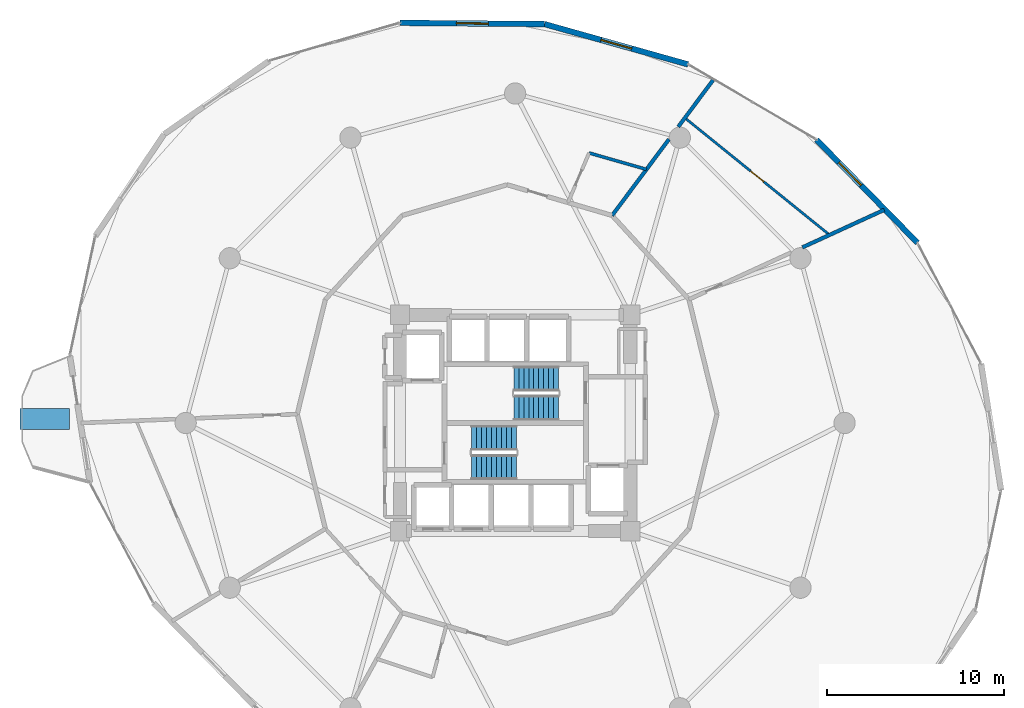
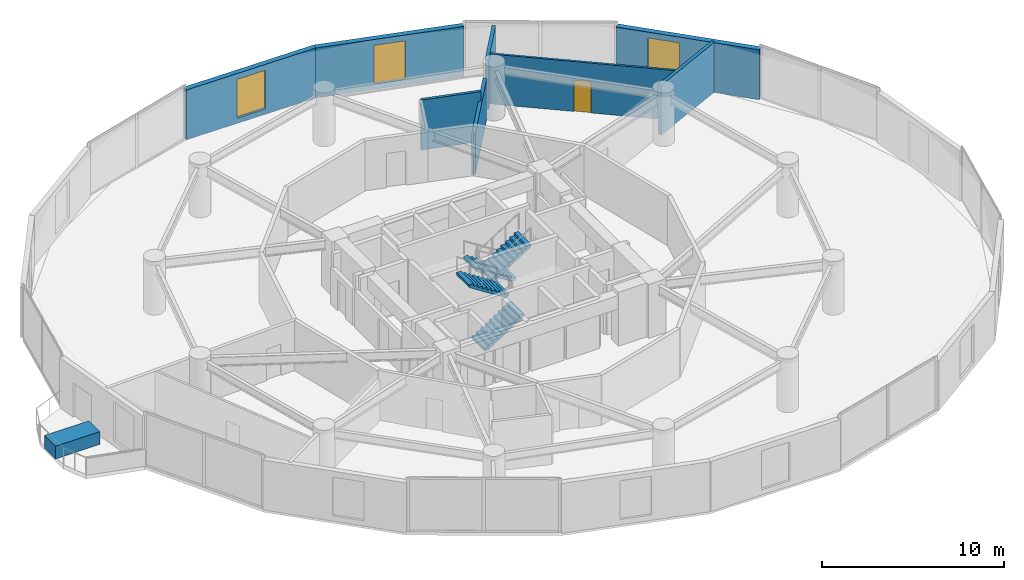
# One storey, part 22 of 24: 8 walls, 4 stair flights, 3 windows, 1 discrete accessory, 1 door, 4 openings, 2 elements without a shape of their own.
"""IFC4 building model written with IfcOpenShell, lengths in metres."""

from ifc_helpers import new_model, si_unit, direction, frame, frame_2d, origin, origin_2d, place, context, subcontext, project, spatial, polyline, rectangle, outline, extrude, material, layer, layer_set, type_object, element, fill, aggregate, save


model = new_model("IFC4")

# Units and contexts
model_context = context("Model", 3, precision=1e-05, world=origin(), true_north=direction((0.0, 1.0)))
body_context = subcontext(model_context, "Body", "Model", "MODEL_VIEW")
ifc_project = project(units=[si_unit("LENGTHUNIT", "METRE"), si_unit("AREAUNIT", "SQUARE_METRE"), si_unit("VOLUMEUNIT", "CUBIC_METRE"), si_unit("PLANEANGLEUNIT", "RADIAN"), si_unit("MASSUNIT", "GRAM", prefix="KILO")], contexts=[model_context])

# Site, building, storey
site_placement = place(None, origin())
site = spatial("IfcSite", under=ifc_project, at=site_placement, CompositionType="ELEMENT")
building_placement = place(site_placement, origin())
building = spatial("IfcBuilding", under=site, at=building_placement, Name="Solvirekh Grand Hotel", CompositionType="ELEMENT")
storey_placement = place(building_placement, frame((0.0, 0.0, 82.39990234375)))
storey = spatial("IfcBuildingStorey", under=building, at=storey_placement, Name="L20", CompositionType="ELEMENT", Elevation=82.39990234375)

# Wall, opening, window
ifc_material_1 = material(Name="Precast concrete C45/55", Category="concrete")
ifc_layer_1 = layer(ifc_material_1, 0.320068359375)
ifc_layer_set_1 = layer_set([ifc_layer_1], Name="Precast concrete C45/55")
wall_type_1 = type_object("IfcWallType", Name="ExtLobbyWall_RC320", PredefinedType="SOLIDWALL", material=ifc_layer_set_1)
wall_1_placement = place(storey_placement, frame((17.01708984375, 15.989013671875, 0.0), z_axis=(0.0, 0.0, 1.0), x_axis=(0.699759555634, -0.714378446132, 0.0)))
wall_1 = element("IfcWall", 1, at=wall_1_placement, inside=storey, type_object=wall_type_1, Name="L20 exterior structural wall chord 4", PredefinedType="SOLIDWALL", context=body_context, shape_type="SweptSolid", body=[
    extrude(rectangle(XDim=8.149658203125, YDim=0.320068359375, at=frame_2d((4.07470703125, 0.0))), origin(), (0.0, 0.0, 1.0), 3.340087890625),
])
opening_1_placement = place(wall_1_placement, frame((1.801025390625, 0.0, 0.35009765625)))
opening_1 = element("IfcOpeningElement", 2, at=opening_1_placement, cuts=wall_1, Name="Opening W02", PredefinedType="OPENING", context=body_context, shape_type="SweptSolid", body=[
    extrude(rectangle(XDim=1.800048828125, YDim=2.60009765625, at=frame_2d((0.89990234375, 1.300048828125))), frame((0.0, 0.169921875, 0.0), z_axis=(0.0, -1.0, 0.0), x_axis=(1.0, 0.0, 0.0)), (0.0, 0.0, 1.0), 0.340087890625),
])
ifc_material_2 = material(Name="Low-E Tinted Bronze Laminated Glass", Category="aluminium")
window_type = type_object("IfcWindowType", Name="Win_LobbyExt_1800X2600", PartitioningType="SINGLE_PANEL", PredefinedType="WINDOW", material=ifc_material_2)
window_1_placement = place(opening_1_placement, origin())
window_1 = element("IfcWindow", 3, at=window_1_placement, inside=storey, type_object=window_type, Name="L20 panoramic bronze-framed window 4", OverallHeight=2.60009765625, OverallWidth=1.800048828125, PartitioningType="SINGLE_PANEL", PredefinedType="WINDOW", context=body_context, shape_type="SweptSolid", body=[
    extrude(rectangle(XDim=1.800048828125, YDim=2.60009765625, at=frame_2d((0.89990234375, 1.300048828125))), frame((0.0, 0.030029296875, 0.0), z_axis=(0.0, -1.0, 0.0), x_axis=(1.0, 0.0, 0.0)), (0.0, 0.0, 1.0), 0.06005859375),
])
fill(opening_1, window_1)

wall_2_placement = place(storey_placement, frame((1.660888671875, 22.52001953125, 0.0), z_axis=(0.0, 0.0, 1.0), x_axis=(0.962743068747, -0.270417794495, 0.0)))
wall_2 = element("IfcWall", 4, at=wall_2_placement, inside=storey, type_object=wall_type_1, Name="L20 exterior structural wall chord 6", PredefinedType="SOLIDWALL", context=body_context, shape_type="SweptSolid", body=[
    extrude(rectangle(XDim=8.41259765625, YDim=0.320068359375, at=frame_2d((4.206298828125, 0.0))), origin(), (0.0, 0.0, 1.0), 3.340087890625),
])
opening_2_placement = place(wall_2_placement, frame((3.305908203125, 0.0, 0.35009765625)))
opening_2 = element("IfcOpeningElement", 5, at=opening_2_placement, cuts=wall_2, Name="Opening W02", PredefinedType="OPENING", context=body_context, shape_type="SweptSolid", body=[
    extrude(rectangle(XDim=1.800048828125, YDim=2.60009765625, at=frame_2d((0.89990234375, 1.300048828125))), frame((0.0, 0.169921875, 0.0), z_axis=(0.0, -1.0, 0.0), x_axis=(1.0, 0.0, 0.0)), (0.0, 0.0, 1.0), 0.340087890625),
])
window_2_placement = place(opening_2_placement, origin())
window_2 = element("IfcWindow", 6, at=window_2_placement, inside=storey, type_object=window_type, Name="L20 panoramic bronze-framed window 6", OverallHeight=2.60009765625, OverallWidth=1.800048828125, PartitioningType="SINGLE_PANEL", PredefinedType="WINDOW", context=body_context, shape_type="SweptSolid", body=[
    extrude(rectangle(XDim=1.800048828125, YDim=2.60009765625, at=frame_2d((0.89990234375, 1.300048828125))), frame((0.0, 0.030029296875, 0.0), z_axis=(0.0, -1.0, 0.0), x_axis=(1.0, 0.0, 0.0)), (0.0, 0.0, 1.0), 0.06005859375),
])
fill(opening_2, window_2)

wall_3_placement = place(storey_placement, frame((-6.488037109375, 22.590087890625, 0.0), z_axis=(0.0, 0.0, 1.0), x_axis=(0.999963035137, -0.008598160198, 0.0)))
wall_3 = element("IfcWall", 7, at=wall_3_placement, inside=storey, type_object=wall_type_1, Name="L20 exterior structural wall chord 7", PredefinedType="SOLIDWALL", context=body_context, shape_type="SweptSolid", body=[
    extrude(rectangle(XDim=8.149169921875, YDim=0.320068359375, at=frame_2d((4.07470703125, 0.0))), origin(), (0.0, 0.0, 1.0), 3.340087890625),
])
opening_3_placement = place(wall_3_placement, frame((3.175048828125, 0.0, 0.35009765625)))
opening_3 = element("IfcOpeningElement", 8, at=opening_3_placement, cuts=wall_3, Name="Opening W02", PredefinedType="OPENING", context=body_context, shape_type="SweptSolid", body=[
    extrude(rectangle(XDim=1.800048828125, YDim=2.60009765625, at=frame_2d((0.89990234375, 1.300048828125))), frame((0.0, 0.169921875, 0.0), z_axis=(0.0, -1.0, 0.0), x_axis=(1.0, 0.0, 0.0)), (0.0, 0.0, 1.0), 0.340087890625),
])
window_3_placement = place(opening_3_placement, origin())
window_3 = element("IfcWindow", 9, at=window_3_placement, inside=storey, type_object=window_type, Name="L20 panoramic bronze-framed window 7", OverallHeight=2.60009765625, OverallWidth=1.800048828125, PartitioningType="SINGLE_PANEL", PredefinedType="WINDOW", context=body_context, shape_type="SweptSolid", body=[
    extrude(rectangle(XDim=1.800048828125, YDim=2.60009765625, at=frame_2d((0.89990234375, 1.300048828125))), frame((0.0, 0.030029296875, 0.0), z_axis=(0.0, -1.0, 0.0), x_axis=(1.0, 0.0, 0.0)), (0.0, 0.0, 1.0), 0.06005859375),
])
fill(opening_3, window_3)

# Wall, opening, door
ifc_material_3 = material(Name="Acoustic Gypsum Partition Assembly")
ifc_layer_2 = layer(ifc_material_3, 0.135009765625)
ifc_layer_set_2 = layer_set([ifc_layer_2], Name="Acoustic Gypsum Partition Assembly")
wall_type_2 = type_object("IfcWallType", Name="Part_RoomInt_135", PredefinedType="PARTITIONING", material=ifc_layer_set_2)
wall_4_placement = place(storey_placement, frame((17.7509765625, 10.615966796875, 0.0), z_axis=(0.0, 0.0, 1.0), x_axis=(-0.77748834584, 0.62889734622, 0.0)))
wall_4 = element("IfcWall", 10, at=wall_4_placement, inside=storey, type_object=wall_type_2, Name="L20 Presidential Suite 2201 Suite Foyer bedroom screen wall", PredefinedType="PARTITIONING", context=body_context, shape_type="SweptSolid", body=[
    extrude(rectangle(XDim=10.505615234375, YDim=0.135009765625, at=frame_2d((5.2529296875, 0.0))), origin(), (0.0, 0.0, 1.0), 3.340087890625),
])
opening_4_placement = place(wall_4_placement, frame((4.778076171875, 0.0, 0.0)))
opening_4 = element("IfcOpeningElement", 11, at=opening_4_placement, cuts=wall_4, Name="Opening D10", PredefinedType="OPENING", context=body_context, shape_type="SweptSolid", body=[
    extrude(rectangle(XDim=0.949951171875, YDim=2.10009765625, at=frame_2d((0.47509765625, 1.050048828125))), frame((0.0, 0.07763671875, 0.0), z_axis=(0.0, -1.0, 0.0), x_axis=(1.0, 0.0, 0.0)), (0.0, 0.0, 1.0), 0.155029296875),
])
ifc_material_4 = material(Name="Anodized Bronze Aluminium 6063-T6", Category="aluminium")
door_type = type_object("IfcDoorType", Name="Door_RoomInt_950X2100", OperationType="NOTDEFINED", PredefinedType="DOOR", material=ifc_material_4)
door_placement = place(opening_4_placement, origin())
door = element("IfcDoor", 12, at=door_placement, inside=storey, type_object=door_type, Name="L20 Presidential Suite 2201 Suite Foyer master bedroom door", OperationType="SINGLE_SWING_RIGHT", OverallHeight=2.10009765625, OverallWidth=0.949951171875, PredefinedType="DOOR", context=body_context, shape_type="SweptSolid", body=[
    extrude(rectangle(XDim=0.949951171875, YDim=2.10009765625, at=frame_2d((0.47509765625, 1.050048828125))), frame((0.0, 0.02490234375, 0.0), z_axis=(0.0, -1.0, 0.0), x_axis=(1.0, 0.0, 0.0)), (0.0, 0.0, 1.0), 0.050048828125),
])
fill(opening_4, door)

# Walls
ifc_layer_3 = layer(ifc_material_3, 0.2099609375)
ifc_layer_set_3 = layer_set([ifc_layer_3], Name="Acoustic Gypsum Partition Assembly")
wall_type_3 = type_object("IfcWallType", Name="Part_SuiteDemise_210", PredefinedType="PARTITIONING", material=ifc_layer_set_3)
wall_5_placement = place(storey_placement, frame((16.214111328125, 9.910888671875, 0.0), z_axis=(0.0, 0.0, 1.0), x_axis=(0.90896787086, 0.416866177261, 0.0)))
element("IfcWall", 13, at=wall_5_placement, inside=storey, type_object=wall_type_3, Name="L20 suite radial wall 2 (B)", PredefinedType="PARTITIONING", context=body_context, shape_type="SweptSolid", body=[
    extrude(rectangle(XDim=5.088134765625, YDim=0.2099609375, at=frame_2d((2.5439453125, 0.0))), origin(), (0.0, 0.0, 1.0), 3.340087890625),
])
wall_6_placement = place(storey_placement, frame((5.47509765625, 11.715087890625, 0.0), z_axis=(0.0, 0.0, 1.0), x_axis=(0.597881312894, 0.801584640379, 0.0)))
element("IfcWall", 14, at=wall_6_placement, inside=storey, type_object=wall_type_3, Name="L20 suite radial wall 3 (A)", PredefinedType="PARTITIONING", context=body_context, shape_type="SweptSolid", body=[
    extrude(rectangle(XDim=5.37060546875, YDim=0.2099609375, at=frame_2d((2.685302734375, 0.0))), origin(), (0.0, 0.0, 1.0), 2.708984375),
])
wall_7_placement = place(storey_placement, frame((9.208984375, 16.720947265625, 0.0), z_axis=(0.0, 0.0, 1.0), x_axis=(0.597842421617, 0.801613646912, 0.0)))
element("IfcWall", 15, at=wall_7_placement, inside=storey, type_object=wall_type_3, Name="L20 suite radial wall 3 (B)", PredefinedType="PARTITIONING", context=body_context, shape_type="SweptSolid", body=[
    extrude(rectangle(XDim=3.29833984375, YDim=0.2099609375, at=frame_2d((1.649169921875, 0.0))), origin(), (0.0, 0.0, 1.0), 3.340087890625),
])
ifc_layer_4 = layer(ifc_material_3, 0.175048828125)
ifc_layer_set_4 = layer_set([ifc_layer_4], Name="Acoustic Gypsum Partition Assembly")
wall_type_4 = type_object("IfcWallType", Name="Plumb_Ensuite_175", PredefinedType="PLUMBINGWALL", material=ifc_layer_set_4)
wall_8_placement = place(storey_placement, frame((7.4150390625, 14.31591796875, 0.0), z_axis=(0.0, 0.0, 1.0), x_axis=(-0.961324087614, 0.275419677171, 0.0)))
element("IfcWall", 16, at=wall_8_placement, inside=storey, type_object=wall_type_4, Name="L20 En-suite Bathroom 2202 outer plumbing wall", PredefinedType="PLUMBINGWALL", context=body_context, shape_type="SweptSolid", body=[
    extrude(rectangle(XDim=3.369384765625, YDim=0.175048828125, at=frame_2d((1.6845703125, 0.0))), origin(), (0.0, 0.0, 1.0), 3.340087890625),
])

# Stair, stair flights
ifc_material_5 = material(Name="Concrete C40/50", Category="concrete")
stair_type = type_object("IfcStairType", Name="Stair_Core_1450", PredefinedType="HALF_TURN_STAIR", material=ifc_material_5)
stair_1_placement = place(storey_placement, origin())
stair_1 = element("IfcStair", 17, at=stair_1_placement, inside=storey, type_object=stair_type, Name="L20 Enclosed exit stair ST-1", PredefinedType="HALF_TURN_STAIR")
stair_flight_type = type_object("IfcStairFlightType", Name="Flight_Core_1450", PredefinedType="STRAIGHT", material=ifc_material_5)
stair_flight_1_placement = place(storey_placement, frame((-2.449951171875, -2.5, 0.0), z_axis=(0.0, 0.0, 1.0), x_axis=(1.0, 0.0, 0.0)))
stair_flight_1 = element("IfcStairFlight", 18, at=stair_flight_1_placement, type_object=stair_flight_type, Name="ST-1 flight 1", NumberOfRisers=10, NumberOfTreads=9, PredefinedType="STRAIGHT", RiserHeight=0.18, TreadLength=0.28, context=body_context, shape_type="SweptSolid", body=[
    extrude(outline(polyline([(0.0, 0.0), (0.0, 0.179931640625), (0.280029296875, 0.179931640625), (0.280029296875, 0.360107421875), (0.56005859375, 0.360107421875), (0.56005859375, 0.5400390625), (0.840087890625, 0.5400390625), (0.840087890625, 0.719970703125), (1.1201171875, 0.719970703125), (1.1201171875, 0.89990234375), (1.39990234375, 0.89990234375), (1.39990234375, 1.080078125), (1.679931640625, 1.080078125), (1.679931640625, 1.260009765625), (1.9599609375, 1.260009765625), (1.9599609375, 1.43994140625), (2.239990234375, 1.43994140625), (2.239990234375, 1.6201171875), (2.52001953125, 1.6201171875), (2.52001953125, 1.800048828125), (2.52001953125, 1.44189453125), (0.277099609375, 0.0), (0.0, 0.0)])), frame((0.0, 0.699951171875, 0.0), z_axis=(0.0, -1.0, 0.0), x_axis=(1.0, 0.0, 0.0)), (0.0, 0.0, 1.0), 1.39990234375),
])
stair_flight_2_placement = place(storey_placement, frame((0.070068359375, -0.85009765625, 1.800048828125), z_axis=(0.0, 0.0, 1.0), x_axis=(-1.0, 0.0, 0.0)))
stair_flight_2 = element("IfcStairFlight", 19, at=stair_flight_2_placement, type_object=stair_flight_type, Name="ST-1 flight 2", NumberOfRisers=10, NumberOfTreads=9, PredefinedType="STRAIGHT", RiserHeight=0.18, TreadLength=0.28, context=body_context, shape_type="SweptSolid", body=[
    extrude(outline(polyline([(0.0, 0.0), (0.0, 0.179931640625), (0.280029296875, 0.179931640625), (0.280029296875, 0.360107421875), (0.56005859375, 0.360107421875), (0.56005859375, 0.5400390625), (0.840087890625, 0.5400390625), (0.840087890625, 0.719970703125), (1.1201171875, 0.719970703125), (1.1201171875, 0.89990234375), (1.39990234375, 0.89990234375), (1.39990234375, 1.080078125), (1.679931640625, 1.080078125), (1.679931640625, 1.260009765625), (1.9599609375, 1.260009765625), (1.9599609375, 1.43994140625), (2.239990234375, 1.43994140625), (2.239990234375, 1.6201171875), (2.52001953125, 1.6201171875), (2.52001953125, 1.800048828125), (2.52001953125, 1.44189453125), (0.277099609375, 0.0), (0.0, 0.0)])), frame((0.0, 0.699951171875, 0.0), z_axis=(0.0, -1.0, 0.0), x_axis=(1.0, 0.0, 0.0)), (0.0, 0.0, 1.0), 1.39990234375),
])
aggregate(stair_1, [stair_flight_1, stair_flight_2])

stair_2_placement = place(storey_placement, origin())
stair_2 = element("IfcStair", 20, at=stair_2_placement, inside=storey, type_object=stair_type, Name="L20 Enclosed exit stair ST-2", PredefinedType="HALF_TURN_STAIR")
stair_flight_3_placement = place(storey_placement, frame((2.449951171875, 2.5, 0.0), z_axis=(0.0, 0.0, 1.0), x_axis=(-1.0, 0.0, 0.0)))
stair_flight_3 = element("IfcStairFlight", 21, at=stair_flight_3_placement, type_object=stair_flight_type, Name="ST-2 flight 1", NumberOfRisers=10, NumberOfTreads=9, PredefinedType="STRAIGHT", RiserHeight=0.18, TreadLength=0.28, context=body_context, shape_type="SweptSolid", body=[
    extrude(outline(polyline([(0.0, 0.0), (0.0, 0.179931640625), (0.280029296875, 0.179931640625), (0.280029296875, 0.360107421875), (0.56005859375, 0.360107421875), (0.56005859375, 0.5400390625), (0.840087890625, 0.5400390625), (0.840087890625, 0.719970703125), (1.1201171875, 0.719970703125), (1.1201171875, 0.89990234375), (1.39990234375, 0.89990234375), (1.39990234375, 1.080078125), (1.679931640625, 1.080078125), (1.679931640625, 1.260009765625), (1.9599609375, 1.260009765625), (1.9599609375, 1.43994140625), (2.239990234375, 1.43994140625), (2.239990234375, 1.6201171875), (2.52001953125, 1.6201171875), (2.52001953125, 1.800048828125), (2.52001953125, 1.44189453125), (0.277099609375, 0.0), (0.0, 0.0)])), frame((0.0, 0.699951171875, 0.0), z_axis=(0.0, -1.0, 0.0), x_axis=(1.0, 0.0, 0.0)), (0.0, 0.0, 1.0), 1.39990234375),
])
stair_flight_4_placement = place(storey_placement, frame((-0.070068359375, 0.85009765625, 1.800048828125), z_axis=(0.0, 0.0, 1.0), x_axis=(1.0, 0.0, 0.0)))
stair_flight_4 = element("IfcStairFlight", 22, at=stair_flight_4_placement, type_object=stair_flight_type, Name="ST-2 flight 2", NumberOfRisers=10, NumberOfTreads=9, PredefinedType="STRAIGHT", RiserHeight=0.18, TreadLength=0.28, context=body_context, shape_type="SweptSolid", body=[
    extrude(outline(polyline([(0.0, 0.0), (0.0, 0.179931640625), (0.280029296875, 0.179931640625), (0.280029296875, 0.360107421875), (0.56005859375, 0.360107421875), (0.56005859375, 0.5400390625), (0.840087890625, 0.5400390625), (0.840087890625, 0.719970703125), (1.1201171875, 0.719970703125), (1.1201171875, 0.89990234375), (1.39990234375, 0.89990234375), (1.39990234375, 1.080078125), (1.679931640625, 1.080078125), (1.679931640625, 1.260009765625), (1.9599609375, 1.260009765625), (1.9599609375, 1.43994140625), (2.239990234375, 1.43994140625), (2.239990234375, 1.6201171875), (2.52001953125, 1.6201171875), (2.52001953125, 1.800048828125), (2.52001953125, 1.44189453125), (0.277099609375, 0.0), (0.0, 0.0)])), frame((0.0, 0.699951171875, 0.0), z_axis=(0.0, -1.0, 0.0), x_axis=(1.0, 0.0, 0.0)), (0.0, 0.0, 1.0), 1.39990234375),
])
aggregate(stair_2, [stair_flight_3, stair_flight_4])

# Discrete accessory
discrete_accessory_type = type_object("IfcDiscreteAccessoryType", Name="Acc_PlanterBox", PredefinedType="USERDEFINED", material=ifc_material_1)
discrete_accessory_placement = place(storey_placement, frame((-26.552978515625, 0.220947265625, 0.0), z_axis=(0.0, 0.0, 1.0), x_axis=(0.0, 1.0, 0.0)))
element("IfcDiscreteAccessory", 23, at=discrete_accessory_placement, inside=storey, type_object=discrete_accessory_type, Name="L20 horn sky-garden tree planter", ObjectType="PLANTER", PredefinedType="USERDEFINED", context=body_context, shape_type="SweptSolid", body=[
    extrude(rectangle(XDim=1.199951171875, YDim=2.800048828125, at=origin_2d()), origin(), (0.0, 0.0, 1.0), 0.85009765625),
])

save(model, "model.ifc")
